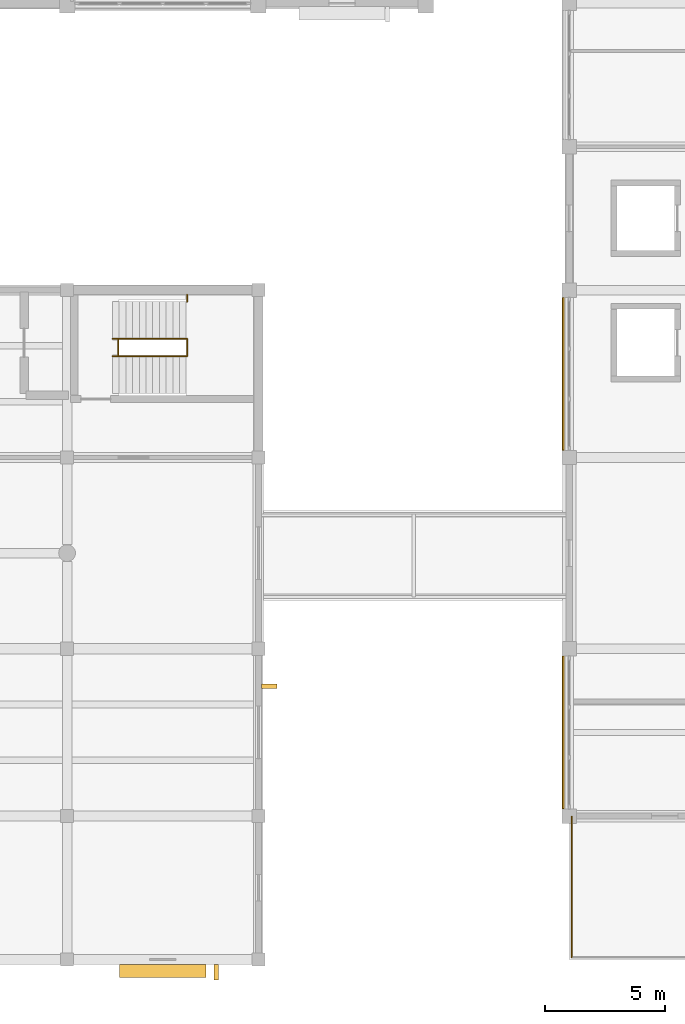
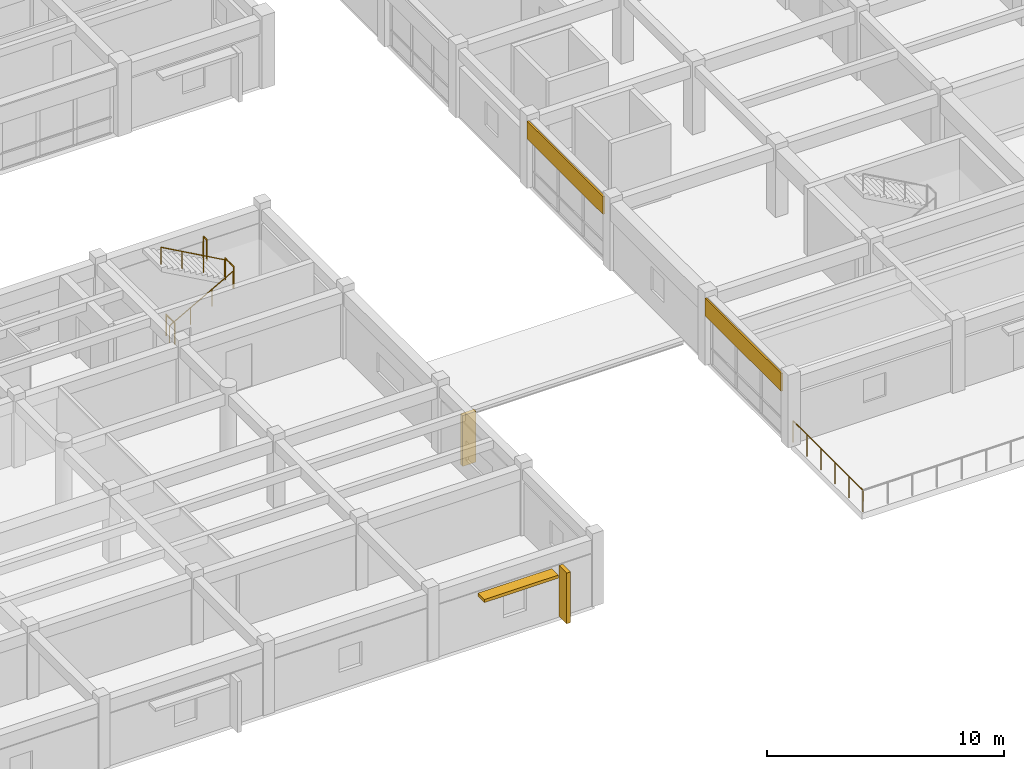
# One storey, part 38 of 42: 6 railings, 3 shading devices, 2 coverings.
"""IFC4 building model written with IfcOpenShell, lengths in metres."""

from ifc_helpers import new_model, si_unit, direction, frame, origin, origin_2d, place, context, subcontext, project, spatial, rectangle, circle, extrude, material, layer, layer_set, type_object, element, save


model = new_model("IFC4")

# Units and contexts
model_context = context("Model", 3, precision=1e-05, world=origin(), true_north=direction((0.0, 1.0)))
body_context = subcontext(model_context, "Body", "Model", "MODEL_VIEW")
ifc_project = project(units=[si_unit("LENGTHUNIT", "METRE"), si_unit("AREAUNIT", "SQUARE_METRE"), si_unit("VOLUMEUNIT", "CUBIC_METRE"), si_unit("PLANEANGLEUNIT", "RADIAN"), si_unit("MASSUNIT", "GRAM", prefix="KILO")], contexts=[model_context])

# Site, building, storey
site_placement = place(None, origin())
site = spatial("IfcSite", under=ifc_project, at=site_placement, CompositionType="ELEMENT")
building_placement = place(site_placement, origin())
building = spatial("IfcBuilding", under=site, at=building_placement, Name="Naurynzar Civic Courthouse", CompositionType="ELEMENT")
storey_placement = place(building_placement, frame((0.0, 0.0, 18.300048828125)))
storey = spatial("IfcBuildingStorey", under=building, at=storey_placement, Name="L05", CompositionType="ELEMENT", Elevation=18.300048828125)

# Coverings
ifc_material_1 = material(Name="Precast concrete C40/50", Category="concrete")
ifc_layer = layer(ifc_material_1, 0.080078125)
ifc_layer_set = layer_set([ifc_layer], Name="COV-CLAD-PRECAST-80")
covering_type = type_object("IfcCoveringType", Name="COV-CLAD-PRECAST-80", PredefinedType="CLADDING", material=ifc_layer_set)
for number, where, z_axis, x_axis, name in (
    (1, (129.7451171875, 13.5, 2.550048828125), (0.0, 0.0, 1.0), (0.0, 1.0, 0.0), "V5 precast spandrel cladding 102"),
    (2, (129.7451171875, 28.5, 2.550048828125), (0.0, 0.0, 1.0), (0.0, 1.0, 0.0), "V5 precast spandrel cladding 103"),
):
    element("IfcCovering", number, at=place(storey_placement, frame(where, z_axis=z_axis, x_axis=x_axis)), inside=storey, type_object=covering_type, Name=name, PredefinedType="CLADDING", context=body_context, shape_type="SweptSolid", body=[
        extrude(rectangle(XDim=6.39990234375, YDim=0.080078125, at=origin_2d()), origin(), (0.0, 0.0, 1.0), 0.919921875),
    ])

# Railings
ifc_material_2 = material(Name="Brushed Stainless Steel 304", Category="steel")
railing_type_1 = type_object("IfcRailingType", Name="RAIL-BAL-1100", PredefinedType="BALUSTRADE", material=ifc_material_2)
railing_1_placement = place(storey_placement, frame((130.10009765625, 9.97998046875, 0.0)))
element("IfcRailing", 3, at=railing_1_placement, inside=storey, type_object=railing_type_1, Name="Roof garden perimeter balustrade guard GR-RG-V5.1", PredefinedType="BALUSTRADE", context=body_context, shape_type="SweptSolid", body=[
    extrude(circle(Radius=0.02392578125, at=origin_2d()), frame((0.0, 0.0, 1.09619140625), z_axis=(0.0, -1.0, 0.0), x_axis=(1.0, 0.0, 0.0)), (0.0, 0.0, 1.0), 5.8798828125),
    extrude(circle(Radius=0.02099609375, at=origin_2d()), origin(), (0.0, 0.0, 1.0), 1.072021484375),
    extrude(circle(Radius=0.02099609375, at=origin_2d()), frame((0.0, -1.176025390625, 0.0)), (0.0, 0.0, 1.0), 1.072021484375),
    extrude(circle(Radius=0.02099609375, at=origin_2d()), frame((0.0, -2.35205078125, 0.0)), (0.0, 0.0, 1.0), 1.072021484375),
    extrude(circle(Radius=0.02099609375, at=origin_2d()), frame((0.0, -3.52783203125, 0.0)), (0.0, 0.0, 1.0), 1.072021484375),
    extrude(circle(Radius=0.02099609375, at=origin_2d()), frame((0.0, -4.703857421875, 0.0)), (0.0, 0.0, 1.0), 1.072021484375),
    extrude(circle(Radius=0.02099609375, at=origin_2d()), frame((0.0, -5.8798828125, 0.0)), (0.0, 0.0, 1.0), 1.072021484375),
])
for number, where, name in (
    (4, (111.139892578125, 29.239990234375, 0.0), "Stair ST-V3B floor well slot guard L05"),
    (5, (114.02001953125, 29.239990234375, 1.875), "Stair ST-V3B-L05 half-landing well guard"),
):
    element("IfcRailing", number, at=place(storey_placement, frame(where)), inside=storey, type_object=railing_type_1, Name=name, PredefinedType="BALUSTRADE", context=body_context, shape_type="SweptSolid", body=[
        extrude(circle(Radius=0.02392578125, at=origin_2d()), frame((0.0, 0.0, 1.09619140625), z_axis=(0.0, 1.0, 0.0), x_axis=(-1.0, 0.0, 0.0)), (0.0, 0.0, 1.0), 0.719970703125),
        extrude(circle(Radius=0.02099609375, at=origin_2d()), origin(), (0.0, 0.0, 1.0), 1.072021484375),
        extrude(circle(Radius=0.02099609375, at=origin_2d()), frame((0.0, 0.719970703125, 0.0)), (0.0, 0.0, 1.0), 1.072021484375),
    ])
railing_2_placement = place(storey_placement, frame((114.02001953125, 31.52001953125, 1.875)))
element("IfcRailing", 6, at=railing_2_placement, inside=storey, type_object=railing_type_1, Name="Stair ST-V3B-L05 half-landing north slot guard", PredefinedType="BALUSTRADE", context=body_context, shape_type="SweptSolid", body=[
    extrude(circle(Radius=0.02392578125, at=origin_2d()), frame((0.0, 0.0, 1.09619140625), z_axis=(0.0, 1.0, 0.0), x_axis=(-1.0, 0.0, 0.0)), (0.0, 0.0, 1.0), 0.284912109375),
    extrude(circle(Radius=0.02099609375, at=origin_2d()), origin(), (0.0, 0.0, 1.0), 1.072021484375),
    extrude(circle(Radius=0.02099609375, at=origin_2d()), frame((0.0, 0.284912109375, 0.0)), (0.0, 0.0, 1.0), 1.072021484375),
])
ifc_material_3 = material(Name="Brushed Stainless Steel 304", Category="steel")
railing_type_2 = type_object("IfcRailingType", Name="RAIL-HR-900", PredefinedType="HANDRAIL", material=ifc_material_3)
railing_3_placement = place(storey_placement, frame((110.89990234375, 29.239990234375, 0.15625)))
element("IfcRailing", 7, at=railing_3_placement, inside=storey, type_object=railing_type_2, Name="Stair ST-V3B-L05 flight 1 handrail", PredefinedType="HANDRAIL", context=body_context, shape_type="SweptSolid", body=[
    extrude(circle(Radius=0.02392578125, at=origin_2d()), frame((0.0, 0.0, 0.8759765625), z_axis=(0.873241540666, 0.0, 0.487287606713), x_axis=(0.0, 1.0, 0.0)), (0.0, 0.0, 1.0), 3.527099609375),
    extrude(circle(Radius=0.02099609375, at=origin_2d()), origin(), (0.0, 0.0, 1.0), 0.851806640625),
    extrude(circle(Radius=0.02099609375, at=origin_2d()), frame((1.026611328125, 0.0, 0.572998046875)), (0.0, 0.0, 1.0), 0.851806640625),
    extrude(circle(Radius=0.02099609375, at=origin_2d()), frame((2.053466796875, 0.0, 1.145751953125)), (0.0, 0.0, 1.0), 0.851806640625),
    extrude(circle(Radius=0.02099609375, at=origin_2d()), frame((3.080078125, 0.0, 1.71875)), (0.0, 0.0, 1.0), 0.851806640625),
])
railing_4_placement = place(storey_placement, frame((113.97998046875, 29.9599609375, 2.03125)))
element("IfcRailing", 8, at=railing_4_placement, inside=storey, type_object=railing_type_2, Name="Stair ST-V3B-L05 flight 2 handrail", PredefinedType="HANDRAIL", context=body_context, shape_type="SweptSolid", body=[
    extrude(circle(Radius=0.02392578125, at=origin_2d()), frame((0.0, 0.0, 0.8759765625), z_axis=(-0.873241540666, 0.0, 0.487287606713), x_axis=(0.0, -1.0, 0.0)), (0.0, 0.0, 1.0), 3.527099609375),
    extrude(circle(Radius=0.02099609375, at=origin_2d()), origin(), (0.0, 0.0, 1.0), 0.851806640625),
    extrude(circle(Radius=0.02099609375, at=origin_2d()), frame((-1.026611328125, 0.0, 0.572998046875)), (0.0, 0.0, 1.0), 0.851806640625),
    extrude(circle(Radius=0.02099609375, at=origin_2d()), frame((-2.053466796875, 0.0, 1.145751953125)), (0.0, 0.0, 1.0), 0.851806640625),
    extrude(circle(Radius=0.02099609375, at=origin_2d()), frame((-3.080078125, 0.0, 1.71875)), (0.0, 0.0, 1.0), 0.851806640625),
])

# Shading devices
ifc_material_4 = material(Name="Precast concrete C40/50", Category="concrete")
shading_device_type_1 = type_object("IfcShadingDeviceType", Name="SHD-FIN-V650", PredefinedType="JALOUSIE", material=ifc_material_4)
for number, where, z_axis, x_axis, name in (
    (9, (117.449951171875, 15.43505859375, 0.0400390625), (0.0, 0.0, 1.0), (0.0, -1.0, 0.0), "V3 vertical brise-soleil fin 54"),
    (10, (115.235107421875, 3.469970703125, 0.0400390625), (0.0, 0.0, 1.0), (-1.0, 0.0, 0.0), "V3 vertical brise-soleil fin 55"),
):
    element("IfcShadingDevice", number, at=place(storey_placement, frame(where, z_axis=z_axis, x_axis=x_axis)), inside=storey, type_object=shading_device_type_1, Name=name, PredefinedType="JALOUSIE", context=body_context, shape_type="SweptSolid", body=[
        extrude(rectangle(XDim=0.179931640625, YDim=0.64990234375, at=origin_2d()), origin(), (0.0, 0.0, 1.0), 2.610107421875),
    ])
ifc_material_5 = material(Name="Precast concrete C40/50", Category="concrete")
shading_device_type_2 = type_object("IfcShadingDeviceType", Name="SHD-LOUV-H550", PredefinedType="SHUTTER", material=ifc_material_5)
shading_device_placement = place(storey_placement, frame((113.0, 3.52001953125, 2.4501953125), z_axis=(0.0, 0.0, 1.0), x_axis=(-1.0, 0.0, 0.0)))
element("IfcShadingDevice", 11, at=shading_device_placement, inside=storey, type_object=shading_device_type_2, Name="V3 horizontal solar sun-breaker 55", PredefinedType="SHUTTER", context=body_context, shape_type="SweptSolid", body=[
    extrude(rectangle(XDim=3.60009765625, YDim=0.550048828125, at=origin_2d()), origin(), (0.0, 0.0, 1.0), 0.159912109375),
])

save(model, "model.ifc")
